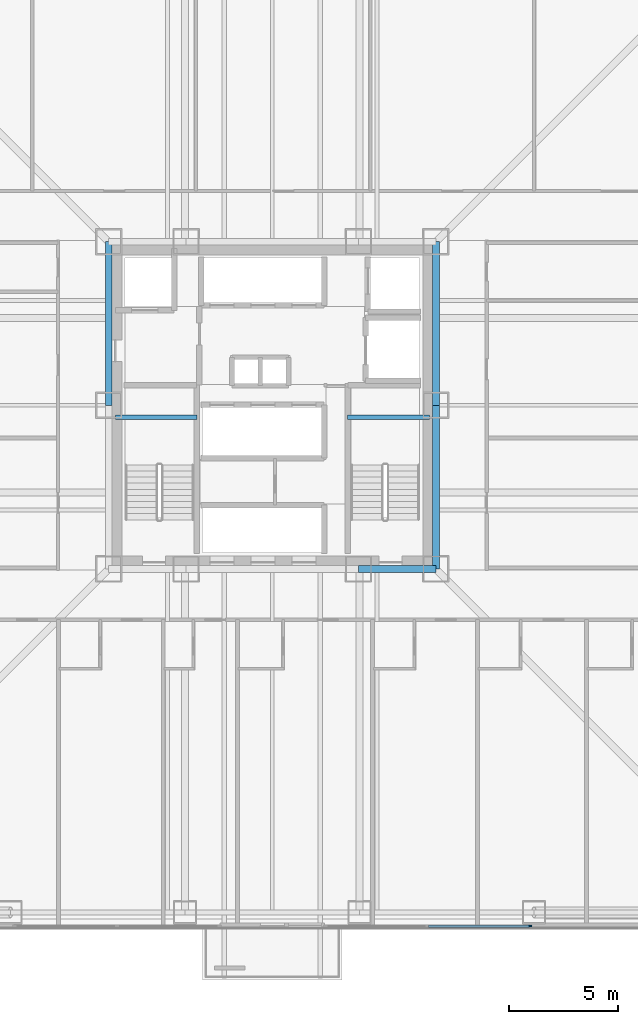
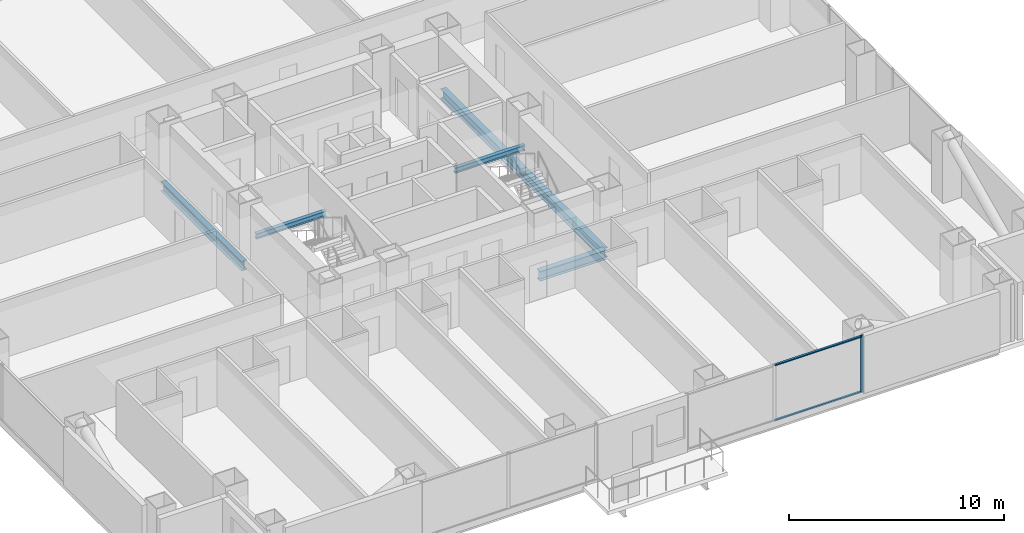
# One storey, part 5 of 16: 6 beams, 3 members, 1 element without a shape of its own.
"""IFC4 building model written with IfcOpenShell, lengths in metres."""

import ifcopenshell
import ifcopenshell.guid

model = None  # the IFC model being written
_history = None  # IfcOwnerHistory: only IFC2X3 demands one
_inside = {}  # id of a spatial element -> (the spatial element, [elements in it])
_under = {}  # id of a project, library or spatial element -> (it, [spatial elements below it])
_declared = {}  # id of a project -> (the project, [libraries it declares])
_typed = {}  # id of a type object -> (the type object, [elements of that type])
_made_of = {}  # id of a material, layer set ... -> (it, [elements and type objects made of it])


def new_model(schema):
    """Start an empty IFC model of exactly this schema.

    Asked for "IFC4X3", IfcOpenShell would pick the latest addendum, in which some entities
    have other attributes; the version numbers below select the first issue.
    IFC2X3 requires an IfcOwnerHistory on every rooted entity: one is made here for all.
    """
    global model, _history
    if schema == "IFC4X3":
        model = ifcopenshell.file(schema_version=(4, 3, 0, 0))
    else:
        model = ifcopenshell.file(schema=schema)
    _inside.clear()
    _under.clear()
    _declared.clear()
    _typed.clear()
    _made_of.clear()
    _history = None
    if model.schema == "IFC2X3":
        org = make("IfcOrganization", Name="unknown")
        user = make(
            "IfcPersonAndOrganization",
            ThePerson=make("IfcPerson", FamilyName="unknown"),
            TheOrganization=org,
        )
        app = make(
            "IfcApplication",
            ApplicationDeveloper=org,
            Version="unknown",
            ApplicationFullName="unknown",
            ApplicationIdentifier="unknown",
        )
        _history = make(
            "IfcOwnerHistory",
            OwningUser=user,
            OwningApplication=app,
            ChangeAction="ADDED",
            CreationDate=0,
        )
    return model


def make(cls, **values):
    """One entity of the class cls with the attributes given. An attribute that is None is left unset."""
    return model.create_entity(
        cls, **{name: value for name, value in values.items() if value is not None}
    )


def rooted(cls, **values):
    """An entity with a GlobalId (a new one), such as an element, a storey or a relation."""
    return make(cls, GlobalId=ifcopenshell.guid.new(), OwnerHistory=_history, **values)


def si_unit(unit_type, name, prefix=None):
    """IfcSIUnit, for example si_unit("LENGTHUNIT", "METRE", prefix="MILLI")."""
    return make("IfcSIUnit", UnitType=unit_type, Prefix=prefix, Name=name)


def assignment(units):
    """IfcUnitAssignment: the units of a project."""
    return None if units is None else make("IfcUnitAssignment", Units=units)


def point(xyz):
    """IfcCartesianPoint."""
    return None if xyz is None else make("IfcCartesianPoint", Coordinates=xyz)


def direction(xyz):
    """IfcDirection."""
    return None if xyz is None else make("IfcDirection", DirectionRatios=xyz)


def frame(location, z_axis=None, x_axis=None):
    """IfcAxis2Placement3D, a coordinate frame: its origin and axes. An axis left out is left unset."""
    return make(
        "IfcAxis2Placement3D",
        Location=point(location),
        Axis=direction(z_axis),
        RefDirection=direction(x_axis),
    )


def frame_2d(location, x_axis=None):
    """IfcAxis2Placement2D, a coordinate frame in the plane: its origin and x axis."""
    return make(
        "IfcAxis2Placement2D", Location=point(location), RefDirection=direction(x_axis)
    )


def origin():
    """The frame at (0, 0, 0) with its axes left unset."""
    return frame((0.0, 0.0, 0.0))


def origin_2d():
    """The frame at (0, 0) in the plane with its x axis left unset."""
    return frame_2d((0.0, 0.0))


def place(relative_to, where):
    """IfcLocalPlacement: puts the frame where relative to a parent placement (None: the world)."""
    return make(
        "IfcLocalPlacement", PlacementRelTo=relative_to, RelativePlacement=where
    )


def context(
    kind, dimensions, precision=None, world=None, true_north=None, identifier=None
):
    """IfcGeometricRepresentationContext, for example the 3D "Model" context."""
    return make(
        "IfcGeometricRepresentationContext",
        ContextIdentifier=identifier,
        ContextType=kind,
        CoordinateSpaceDimension=dimensions,
        Precision=precision,
        WorldCoordinateSystem=world,
        TrueNorth=true_north,
    )


def subcontext(parent, identifier, kind, view, scale=None):
    """IfcGeometricRepresentationSubContext, for example "Body" below "Model"."""
    return make(
        "IfcGeometricRepresentationSubContext",
        ContextIdentifier=identifier,
        ContextType=kind,
        ParentContext=parent,
        TargetScale=scale,
        TargetView=view,
    )


def project(units=None, contexts=None):
    """IfcProject with its units and contexts."""
    return rooted(
        "IfcProject",
        Name="project",
        RepresentationContexts=contexts,
        UnitsInContext=assignment(units),
    )


def spatial(cls, under=None, at=None, **own):
    """A site, building, storey or space (cls), placed at a placement, below another one or the project."""
    s = rooted(cls, ObjectPlacement=at, **own)
    if under is not None:
        _under.setdefault(under.id(), (under, []))[1].append(s)
    return s


def profile(cls, at=None, kind="AREA", **sizes):
    """A parametric profile (cls). Its sizes go by their IFC names, for example OverallWidth=200.0."""
    return make(cls, ProfileType=kind, Position=at, **sizes)


def rectangle(**sizes):
    """IfcRectangleProfileDef."""
    return profile("IfcRectangleProfileDef", **sizes)


def i_section(**sizes):
    """IfcIShapeProfileDef."""
    return profile("IfcIShapeProfileDef", **sizes)


def extrude(swept, where, along, depth):
    """IfcExtrudedAreaSolid: the profile swept, set in the frame where, extruded along a direction by depth."""
    return make(
        "IfcExtrudedAreaSolid",
        SweptArea=swept,
        Position=where,
        ExtrudedDirection=direction(along),
        Depth=depth,
    )


def shape(context_of_items, identifier, shape_type, items):
    """IfcShapeRepresentation: the items that make up one representation, for example the "Body"."""
    return make(
        "IfcShapeRepresentation",
        ContextOfItems=context_of_items,
        RepresentationIdentifier=identifier,
        RepresentationType=shape_type,
        Items=items,
    )


def material(Name=None, Category=None):
    """IfcMaterial."""
    return make("IfcMaterial", Name=Name, Category=Category)


def layer(
    of_material, thickness, ventilated=None, Name=None, Category=None, Priority=None
):
    """IfcMaterialLayer: one layer of a wall or slab, of a material (None: an air gap)."""
    return make(
        "IfcMaterialLayer",
        Material=of_material,
        LayerThickness=thickness,
        IsVentilated=ventilated,
        Name=Name,
        Category=Category,
        Priority=Priority,
    )


def layer_set(layers, Name=None):
    """IfcMaterialLayerSet."""
    return make("IfcMaterialLayerSet", MaterialLayers=layers, LayerSetName=Name)


def material_profile(
    of_material, cross_section, Name=None, Category=None, Priority=None
):
    """IfcMaterialProfile: a cross section and its material."""
    return make(
        "IfcMaterialProfile",
        Name=Name,
        Material=of_material,
        Profile=cross_section,
        Priority=Priority,
        Category=Category,
    )


def profile_set(profiles, Name=None, composite=None):
    """IfcMaterialProfileSet."""
    return make(
        "IfcMaterialProfileSet",
        Name=Name,
        MaterialProfiles=profiles,
        CompositeProfile=composite,
    )


def made_of(thing, what):
    """Note that an element or type object is made of a material, layer set ...; save() writes the relation."""
    if what is not None:
        _made_of.setdefault(what.id(), (what, []))[1].append(thing)
    return thing


def type_object(cls, material=None, **own):
    """A type object (cls), such as IfcWallType, which elements share."""
    return made_of(rooted(cls, **own), material)


def element(
    cls,
    number,
    at=None,
    inside=None,
    cuts=None,
    type_object=None,
    material=None,
    context=None,
    identifier="Body",
    shape_type=None,
    held_by="IfcProductDefinitionShape",
    body=None,
    shapes=None,
    **own,
):
    """One element of the class cls, such as IfcWall. Its Tag is "e" and its number.

    at: its placement. inside: the storey or other place that contains it. cuts: it is an
    opening in that element (IfcRelVoidsElement). A single representation is given by context,
    identifier, shape_type and body (its items); several are given by shapes. held_by: the class
    of the entity that holds the representations. save() writes the other relations.
    """
    e = rooted(cls, Tag="e%d" % number, ObjectPlacement=at, **own)
    if body is not None:
        shapes = [shape(context, identifier, shape_type, body)]
    if shapes is not None:
        e.Representation = make(held_by, Representations=shapes)
    if inside is not None:
        _inside.setdefault(inside.id(), (inside, []))[1].append(e)
    if cuts is not None:
        rooted(
            "IfcRelVoidsElement", RelatingBuildingElement=cuts, RelatedOpeningElement=e
        )
    if type_object is not None:
        _typed.setdefault(type_object.id(), (type_object, []))[1].append(e)
    return made_of(e, material)


def aggregate(whole, parts):
    """IfcRelAggregates: a whole, such as a stair, and the parts it consists of."""
    return rooted("IfcRelAggregates", RelatingObject=whole, RelatedObjects=parts)


def save(model, path):
    """Write the relations noted so far, then the file.

    IfcRelAggregates (storeys below a building ...), IfcRelContainedInSpatialStructure (elements
    in a storey), IfcRelDefinesByType, IfcRelAssociatesMaterial and IfcRelDeclares: one each for
    every whole, place, type object, material and project.
    """
    for whole, parts in _under.values():
        aggregate(whole, parts)
    for where, things in _inside.values():
        rooted(
            "IfcRelContainedInSpatialStructure",
            RelatedElements=things,
            RelatingStructure=where,
        )
    for kind, things in _typed.values():
        rooted("IfcRelDefinesByType", RelatedObjects=things, RelatingType=kind)
    for what, things in _made_of.values():
        rooted("IfcRelAssociatesMaterial", RelatedObjects=things, RelatingMaterial=what)
    for by, libraries in _declared.values():
        rooted("IfcRelDeclares", RelatingContext=by, RelatedDefinitions=libraries)
    model.write(path)


model = new_model("IFC4")

# Units and contexts
model_context = context("Model", 3, precision=1e-05, world=origin(), true_north=direction((0.0, 1.0)))
body_context = subcontext(model_context, "Body", "Model", "MODEL_VIEW")
ifc_project = project(units=[si_unit("LENGTHUNIT", "METRE"), si_unit("AREAUNIT", "SQUARE_METRE"), si_unit("VOLUMEUNIT", "CUBIC_METRE"), si_unit("PLANEANGLEUNIT", "RADIAN"), si_unit("MASSUNIT", "GRAM", prefix="KILO")], contexts=[model_context])

# Site, building, storey
site_placement = place(None, origin())
site = spatial("IfcSite", under=ifc_project, at=site_placement, CompositionType="ELEMENT")
building_placement = place(site_placement, origin())
building = spatial("IfcBuilding", under=site, at=building_placement, Name="Trevonay Congress Spire", CompositionType="ELEMENT")
storey_placement = place(building_placement, frame((0.0, 0.0, 65.5)))
storey = spatial("IfcBuildingStorey", under=building, at=storey_placement, Name="L16", CompositionType="ELEMENT", Elevation=65.5)

# Beams
ifc_material_1 = material(Name="Steel ASTM A572 Grade 50", Category="steel")
ifc_material_profile_1 = material_profile(ifc_material_1, i_section(OverallWidth=0.31201171875, OverallDepth=0.54296875, WebThickness=0.0126953125, FlangeThickness=0.020263671875, FilletRadius=0.014892578125, at=origin_2d()), Name="W530x150")
ifc_profile_set_1 = profile_set([ifc_material_profile_1], Name="Steel ASTM A572 Grade 50")
beam_type_1 = type_object("IfcBeamType", Name="BM-GIRD-W530X150", PredefinedType="BEAM", material=ifc_profile_set_1)
beam_placement = place(storey_placement, frame((3.949951171875, -7.5, -0.521484375), z_axis=(1.0, 0.0, 0.0), x_axis=(0.0, 1.0, 0.0)))
element("IfcBeam", 1, at=beam_placement, inside=storey, type_object=beam_type_1, Name="L16 structural beam BM-L16-CR-S3", PredefinedType="BEAM", context=body_context, shape_type="SweptSolid", body=[
    extrude(i_section(OverallWidth=0.31201171875, OverallDepth=0.54296875, WebThickness=0.0126953125, FlangeThickness=0.020263671875, FilletRadius=0.014892578125, at=origin_2d()), origin(), (0.0, 0.0, 1.0), 3.550048828125),
])
for number, where, z_axis, x_axis, name in (
    (2, (-7.5, 0.0, -0.521484375), (0.0, 1.0, 0.0), (-1.0, 0.0, 0.0), "L16 structural beam BM-L16-CR-W2"),
    (3, (7.5, -7.5, -0.521484375), (0.0, 1.0, 0.0), (-1.0, 0.0, 0.0), "L16 structural beam BM-L16-CR-E1"),
    (4, (7.5, 0.0, -0.521484375), (0.0, 1.0, 0.0), (-1.0, 0.0, 0.0), "L16 structural beam BM-L16-CR-E2"),
):
    element("IfcBeam", number, at=place(storey_placement, frame(where, z_axis=z_axis, x_axis=x_axis)), inside=storey, type_object=beam_type_1, Name=name, PredefinedType="BEAM", context=body_context, shape_type="SweptSolid", body=[
        extrude(i_section(OverallWidth=0.31201171875, OverallDepth=0.54296875, WebThickness=0.0126953125, FlangeThickness=0.020263671875, FilletRadius=0.014892578125, at=origin_2d()), origin(), (0.0, 0.0, 1.0), 7.5),
    ])

# Curtain wall, members
ifc_material_2 = material(Name="Pale Anodised Aluminium EN AW-6063-T6", Category="aluminium")
ifc_layer = layer(ifc_material_2, 0.179931640625, Name="Pale Anodised Aluminium EN AW-6063-T6")
ifc_layer_set = layer_set([ifc_layer], Name="Pale Anodised Aluminium EN AW-6063-T6")
curtain_wall_type = type_object("IfcCurtainWallType", Name="CW-SYS02-HOTEL-PALE-METAL", PredefinedType="NOTDEFINED", material=ifc_layer_set)
curtain_wall_placement = place(storey_placement, origin())
curtain_wall = element("IfcCurtainWall", 5, at=curtain_wall_placement, inside=storey, type_object=curtain_wall_type, Name="L16 SB unitised curtain wall", PredefinedType="NOTDEFINED")
ifc_material_profile_2 = material_profile(ifc_material_2, rectangle(XDim=0.06005859375, YDim=0.159912109375, at=origin_2d()), Name="CW-MULLION-160-ALUMINIUM")
ifc_profile_set_2 = profile_set([ifc_material_profile_2], Name="Pale Anodised Aluminium EN AW-6063-T6")
member_type_1 = type_object("IfcMemberType", Name="CW-MULLION-160-ALUMINIUM", PredefinedType="MULLION", material=ifc_profile_set_2)
member_1_placement = place(storey_placement, frame((11.820068359375, -23.8798828125, 0.0), z_axis=(0.0, 0.0, 1.0), x_axis=(0.0, 1.0, 0.0)))
member_1 = element("IfcMember", 6, at=member_1_placement, type_object=member_type_1, Name="CW02 mullion 3", PredefinedType="MULLION", context=body_context, shape_type="SweptSolid", body=[
    extrude(rectangle(XDim=0.06005859375, YDim=0.159912109375, at=origin_2d()), origin(), (0.0, 0.0, 1.0), 3.25),
])
ifc_material_profile_3 = material_profile(ifc_material_2, rectangle(XDim=0.1201171875, YDim=0.06005859375, at=origin_2d()), Name="CW-TRANSOM-120-ALUMINIUM")
ifc_profile_set_3 = profile_set([ifc_material_profile_3], Name="Pale Anodised Aluminium EN AW-6063-T6")
member_type_2 = type_object("IfcMemberType", Name="CW-TRANSOM-120-ALUMINIUM", PredefinedType="USERDEFINED", material=ifc_profile_set_3)
member_2_placement = place(storey_placement, frame((7.155029296875, -23.8798828125, 0.06005859375), z_axis=(1.0, 0.0, 0.0), x_axis=(0.0, 1.0, 0.0)))
member_2 = element("IfcMember", 7, at=member_2_placement, type_object=member_type_2, Name="CW02 transom 2.1", ObjectType="TRANSOM", PredefinedType="USERDEFINED", context=body_context, shape_type="SweptSolid", body=[
    extrude(rectangle(XDim=0.1201171875, YDim=0.06005859375, at=origin_2d()), origin(), (0.0, 0.0, 1.0), 4.635009765625),
])
member_3_placement = place(storey_placement, frame((7.155029296875, -23.8798828125, 3.18994140625), z_axis=(1.0, 0.0, 0.0), x_axis=(0.0, 1.0, 0.0)))
member_3 = element("IfcMember", 8, at=member_3_placement, type_object=member_type_2, Name="CW02 transom 2.2", ObjectType="TRANSOM", PredefinedType="USERDEFINED", context=body_context, shape_type="SweptSolid", body=[
    extrude(rectangle(XDim=0.1201171875, YDim=0.06005859375, at=origin_2d()), origin(), (0.0, 0.0, 1.0), 4.635009765625),
])
aggregate(curtain_wall, [member_1, member_2, member_3])

# Beams
ifc_material_profile_4 = material_profile(ifc_material_1, i_section(OverallWidth=0.2041015625, OverallDepth=0.305908203125, WebThickness=0.008544921875, FlangeThickness=0.0146484375, FilletRadius=0.010986328125, at=origin_2d()), Name="W310x67")
ifc_profile_set_4 = profile_set([ifc_material_profile_4], Name="Steel ASTM A572 Grade 50")
beam_type_2 = type_object("IfcBeamType", Name="LN-CORE-W310X67", PredefinedType="LINTEL", material=ifc_profile_set_4)
for number, where, z_axis, x_axis, name in (
    (9, (-7.199951171875, -0.550048828125, 1.39697265625), (1.0, 0.0, 0.0), (0.0, 1.0, 0.0), "L16 structural beam BM-L16-HL-ST1"),
    (10, (3.449951171875, -0.550048828125, 1.39697265625), (1.0, 0.0, 0.0), (0.0, 1.0, 0.0), "L16 structural beam BM-L16-HL-ST2"),
):
    element("IfcBeam", number, at=place(storey_placement, frame(where, z_axis=z_axis, x_axis=x_axis)), inside=storey, type_object=beam_type_2, Name=name, PredefinedType="LINTEL", context=body_context, shape_type="SweptSolid", body=[
        extrude(i_section(OverallWidth=0.2041015625, OverallDepth=0.305908203125, WebThickness=0.008544921875, FlangeThickness=0.0146484375, FilletRadius=0.010986328125, at=origin_2d()), origin(), (0.0, 0.0, 1.0), 3.75),
    ])

save(model, "model.ifc")
